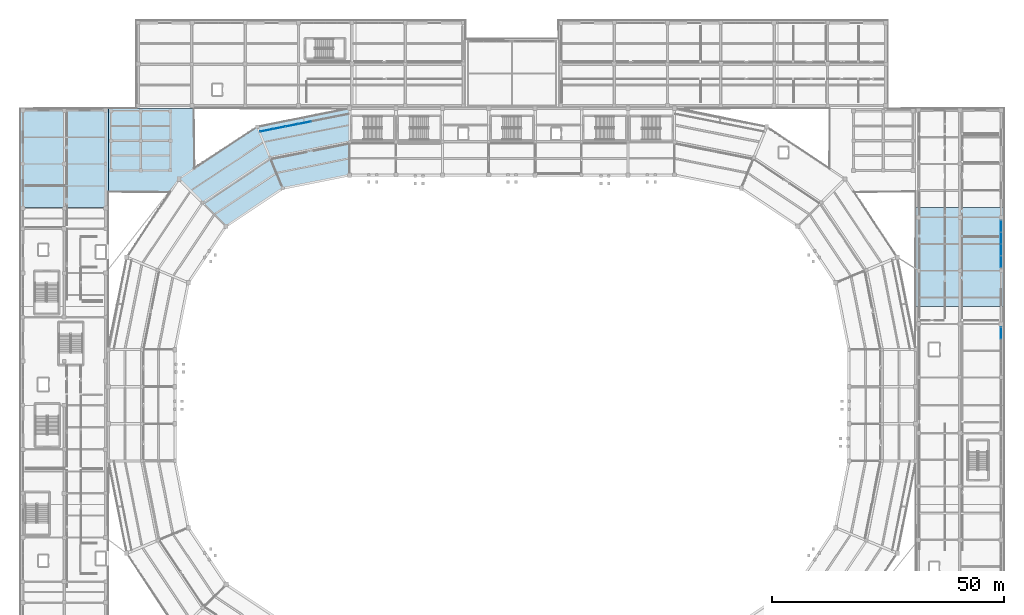
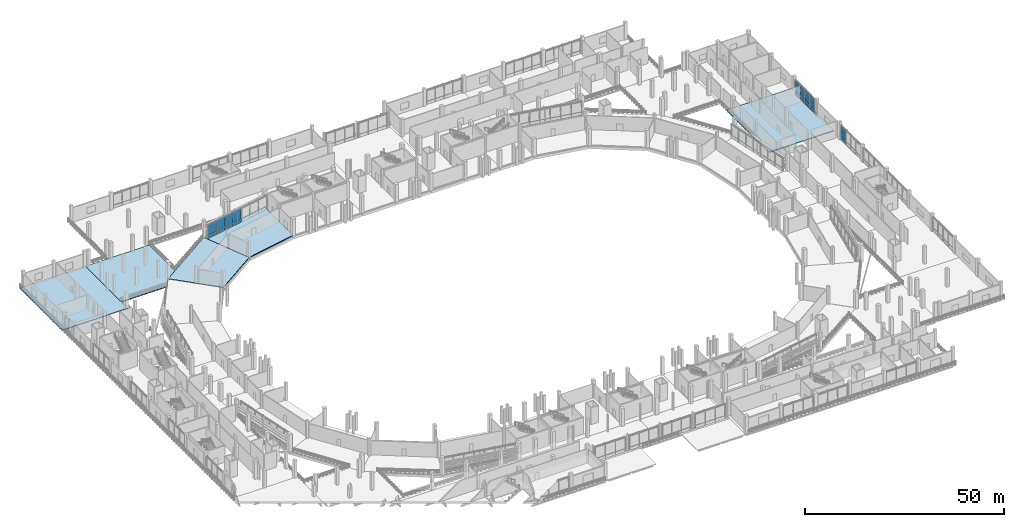
# One storey, part 67 of 114: 18 plates, 5 slabs, 3 elements without a shape of their own.
"""IFC4 building model written with IfcOpenShell, lengths in metres."""

from ifc_helpers import new_model, si_unit, direction, frame, origin, origin_2d, place, context, subcontext, project, spatial, polyline, rectangle, outline, extrude, material, layer, layer_set, type_object, element, aggregate, save


model = new_model("IFC4")

# Units and contexts
model_context = context("Model", 3, precision=1e-05, world=origin(), true_north=direction((0.0, 1.0)))
body_context = subcontext(model_context, "Body", "Model", "MODEL_VIEW")
ifc_project = project(units=[si_unit("LENGTHUNIT", "METRE"), si_unit("AREAUNIT", "SQUARE_METRE"), si_unit("VOLUMEUNIT", "CUBIC_METRE"), si_unit("PLANEANGLEUNIT", "RADIAN"), si_unit("MASSUNIT", "GRAM", prefix="KILO")], contexts=[model_context])

# Site, building, storey
site_placement = place(None, origin())
site = spatial("IfcSite", under=ifc_project, at=site_placement, CompositionType="ELEMENT")
building_placement = place(site_placement, origin())
building = spatial("IfcBuilding", under=site, at=building_placement, Name="Candeia Ridge Stadium", CompositionType="ELEMENT")
storey_placement = place(building_placement, frame((0.0, 0.0, 5.39990234375)))
storey = spatial("IfcBuildingStorey", under=building, at=storey_placement, Name="L01", CompositionType="ELEMENT", Elevation=5.39990234375)

# Slabs
ifc_material_1 = material(Name="Concrete C40/50", Category="concrete")
ifc_layer_1 = layer(ifc_material_1, 0.260009765625, Name="Concrete C40/50", Category="concrete")
ifc_layer_set_1 = layer_set([ifc_layer_1], Name="Concrete C40/50")
slab_type_1 = type_object("IfcSlabType", Name="Concourse Structural Slab 260", PredefinedType="FLOOR", material=ifc_layer_set_1)
slab_1_placement = place(storey_placement, frame((0.0, 0.0, -0.260009765625)))
element("IfcSlab", 1, at=slab_1_placement, inside=storey, type_object=slab_type_1, Name="Bowl concourse sector slab L01 bay 08 SLB-L01-0044", PredefinedType="FLOOR", context=body_context, shape_type="SweptSolid", body=[
    extrude(outline(polyline([(56.611083984375, 129.73779296875), (51.1005859375, 143.041748046875), (71.0, 147.0), (71.0, 132.60009765625), (56.611083984375, 129.73779296875)])), origin(), (0.0, 0.0, 1.0), 0.260009765625),
])
slab_2_placement = place(storey_placement, frame((0.0, 0.0, -0.260009765625)))
element("IfcSlab", 2, at=slab_2_placement, inside=storey, type_object=slab_type_1, Name="Bowl concourse sector slab L01 bay 09 SLB-L01-0045", PredefinedType="FLOOR", context=body_context, shape_type="SweptSolid", body=[
    extrude(outline(polyline([(44.446044921875, 121.609375), (34.263671875, 131.791748046875), (51.1005859375, 143.041748046875), (56.611083984375, 129.73779296875), (44.446044921875, 121.609375)])), origin(), (0.0, 0.0, 1.0), 0.260009765625),
])
slab_3_placement = place(storey_placement, frame((0.0, 0.0, -0.260009765625)))
element("IfcSlab", 3, at=slab_3_placement, inside=storey, type_object=slab_type_1, Name="Wing floor slab east SLB-L01-0222", PredefinedType="FLOOR", context=body_context, shape_type="SweptSolid", body=[
    extrude(outline(polyline([(193.0, 104.333251953125), (193.0, 125.666748046875), (212.0, 125.666748046875), (212.0, 104.333251953125), (193.0, 104.333251953125)])), origin(), (0.0, 0.0, 1.0), 0.260009765625),
])

# Curtain wall, plate
ifc_material_2 = material(Name="Aluminium Anodized Warm Bronze", Category="aluminium")
curtain_wall_type_1 = type_object("IfcCurtainWallType", Name="Cardinal Entrance Gate Tall Glazed Curtain Wall", PredefinedType="NOTDEFINED", material=ifc_material_2)
curtain_wall_1_placement = place(storey_placement, origin())
curtain_wall_1 = element("IfcCurtainWall", 4, at=curtain_wall_1_placement, inside=storey, type_object=curtain_wall_type_1, Name="Unitised curtain wall CW-WNG-L01-104", PredefinedType="NOTDEFINED")
ifc_material_3 = material(Name="Laminated Acoustic Glazing", Category="glass")
ifc_layer_2 = layer(ifc_material_3, 0.035888671875, Name="Laminated Acoustic Glazing", Category="glass")
ifc_layer_set_2 = layer_set([ifc_layer_2], Name="Laminated Acoustic Glazing")
plate_type_1 = type_object("IfcPlateType", Name="Gate Tall Laminated Glass Panel GP3", PredefinedType="CURTAIN_PANEL", material=ifc_layer_set_2)
plate_1_placement = place(storey_placement, frame((211.39990234375, 98.5673828125, 1.14013671875), z_axis=(0.0, 0.0, 1.0), x_axis=(0.0, 1.0, 0.0)))
plate_1 = element("IfcPlate", 5, at=plate_1_placement, type_object=plate_type_1, Name="Curtain wall vision glass panel CW-WNG-L01-104-GP3", PredefinedType="CURTAIN_PANEL", context=body_context, shape_type="SweptSolid", body=[
    extrude(rectangle(XDim=2.47509765625, YDim=0.035888671875, at=origin_2d()), origin(), (0.0, 0.0, 1.0), 3.294921875),
])

# Curtain wall, plates
curtain_wall_2_placement = place(storey_placement, origin())
curtain_wall_2 = element("IfcCurtainWall", 6, at=curtain_wall_2_placement, inside=storey, type_object=curtain_wall_type_1, Name="Unitised curtain wall CW-WNG-L01-105", PredefinedType="NOTDEFINED")
plate_2_placement = place(storey_placement, frame((211.39990234375, 113.9326171875, 1.14013671875), z_axis=(0.0, 0.0, 1.0), x_axis=(0.0, 1.0, 0.0)))
plate_2 = element("IfcPlate", 7, at=plate_2_placement, type_object=plate_type_1, Name="Curtain wall vision glass panel CW-WNG-L01-105-GP0", PredefinedType="CURTAIN_PANEL", context=body_context, shape_type="SweptSolid", body=[
    extrude(rectangle(XDim=2.47509765625, YDim=0.035888671875, at=origin_2d()), origin(), (0.0, 0.0, 1.0), 3.294921875),
])
plate_3_placement = place(storey_placement, frame((211.39990234375, 116.4775390625, 1.14013671875), z_axis=(0.0, 0.0, 1.0), x_axis=(0.0, 1.0, 0.0)))
plate_3 = element("IfcPlate", 8, at=plate_3_placement, type_object=plate_type_1, Name="Curtain wall vision glass panel CW-WNG-L01-105-GP1", PredefinedType="CURTAIN_PANEL", context=body_context, shape_type="SweptSolid", body=[
    extrude(rectangle(XDim=2.47509765625, YDim=0.035888671875, at=origin_2d()), origin(), (0.0, 0.0, 1.0), 3.294921875),
])
plate_4_placement = place(storey_placement, frame((211.39990234375, 119.0224609375, 1.14013671875), z_axis=(0.0, 0.0, 1.0), x_axis=(0.0, 1.0, 0.0)))
plate_4 = element("IfcPlate", 9, at=plate_4_placement, type_object=plate_type_1, Name="Curtain wall vision glass panel CW-WNG-L01-105-GP2", PredefinedType="CURTAIN_PANEL", context=body_context, shape_type="SweptSolid", body=[
    extrude(rectangle(XDim=2.47509765625, YDim=0.035888671875, at=origin_2d()), origin(), (0.0, 0.0, 1.0), 3.294921875),
])
plate_5_placement = place(storey_placement, frame((211.39990234375, 121.5673828125, 1.14013671875), z_axis=(0.0, 0.0, 1.0), x_axis=(0.0, 1.0, 0.0)))
plate_5 = element("IfcPlate", 10, at=plate_5_placement, type_object=plate_type_1, Name="Curtain wall vision glass panel CW-WNG-L01-105-GP3", PredefinedType="CURTAIN_PANEL", context=body_context, shape_type="SweptSolid", body=[
    extrude(rectangle(XDim=2.47509765625, YDim=0.035888671875, at=origin_2d()), origin(), (0.0, 0.0, 1.0), 3.294921875),
])

# Slabs
ifc_layer_3 = layer(ifc_material_1, 0.25, Name="Concrete C40/50", Category="concrete")
ifc_layer_set_3 = layer_set([ifc_layer_3], Name="Concrete C40/50")
slab_type_2 = type_object("IfcSlabType", Name="Hospitality & Museum Slab 250", PredefinedType="FLOOR", material=ifc_layer_set_3)
slab_4_placement = place(storey_placement, frame((0.0, 0.0, -0.25)))
element("IfcSlab", 11, at=slab_4_placement, inside=storey, type_object=slab_type_2, Name="Wing floor slab west SLB-L01-0217", PredefinedType="FLOOR", context=body_context, shape_type="SweptSolid", body=[
    extrude(outline(polyline([(0.0, 125.666748046875), (0.0, 147.0), (19.0, 147.0), (19.0, 125.666748046875), (0.0, 125.666748046875)])), origin(), (0.0, 0.0, 1.0), 0.25),
])
slab_5_placement = place(storey_placement, frame((0.0, 0.0, -0.25)))
element("IfcSlab", 12, at=slab_5_placement, inside=storey, type_object=slab_type_2, Name="Wing floor slab sp_nw SLB-L01-0239", PredefinedType="FLOOR", context=body_context, shape_type="SweptSolid", body=[
    extrude(outline(polyline([(19.0, 147.0), (37.5, 147.0), (37.5, 133.960205078125), (34.227783203125, 131.773681640625), (34.227294921875, 131.7734375), (34.226806640625, 131.773193359375), (34.2265625, 131.772705078125), (34.226318359375, 131.772216796875), (32.373779296875, 129.0), (19.0, 129.0), (19.0, 147.0)])), origin(), (0.0, 0.0, 1.0), 0.25),
])

# Curtain wall, plates
curtain_wall_type_2 = type_object("IfcCurtainWallType", Name="Concourse Recessed Unitised Curtain Wall", PredefinedType="NOTDEFINED", material=ifc_material_2)
curtain_wall_3_placement = place(storey_placement, origin())
curtain_wall_3 = element("IfcCurtainWall", 13, at=curtain_wall_3_placement, inside=storey, type_object=curtain_wall_type_2, Name="Unitised curtain wall CW-BWL-L01-07", PredefinedType="NOTDEFINED")
ifc_material_4 = material(Name="Aluminium Insulated Spandrel", Category="aluminium")
ifc_layer_4 = layer(ifc_material_4, 0.06494140625, Name="Aluminium Insulated Spandrel", Category="aluminium")
ifc_layer_set_4 = layer_set([ifc_layer_4], Name="Aluminium Insulated Spandrel")
plate_type_2 = type_object("IfcPlateType", Name="Insulated Bronze Spandrel Panel SP1", PredefinedType="CURTAIN_PANEL", material=ifc_layer_set_4)
plate_6_placement = place(storey_placement, frame((61.27978515625, 143.86669921875, 0.0400390625), z_axis=(0.0, 0.0, 1.0), x_axis=(-0.980785280696, -0.195090320544, 0.0)))
plate_6 = element("IfcPlate", 14, at=plate_6_placement, type_object=plate_type_2, Name="Curtain wall spandrel panel CW-BWL-L01-07-SP3", PredefinedType="CURTAIN_PANEL", context=body_context, shape_type="SweptSolid", body=[
    extrude(rectangle(XDim=2.710205078125, YDim=0.06494140625, at=origin_2d()), origin(), (0.0, 0.0, 1.0), 0.981201171875),
])
plate_7_placement = place(storey_placement, frame((58.552978515625, 143.32421875, 0.0400390625), z_axis=(0.0, 0.0, 1.0), x_axis=(-0.980785280696, -0.195090320544, 0.0)))
plate_7 = element("IfcPlate", 15, at=plate_7_placement, type_object=plate_type_2, Name="Curtain wall spandrel panel CW-BWL-L01-07-SP4", PredefinedType="CURTAIN_PANEL", context=body_context, shape_type="SweptSolid", body=[
    extrude(rectangle(XDim=2.710205078125, YDim=0.06494140625, at=origin_2d()), origin(), (0.0, 0.0, 1.0), 0.981201171875),
])
plate_8_placement = place(storey_placement, frame((55.826416015625, 142.78173828125, 0.0400390625), z_axis=(0.0, 0.0, 1.0), x_axis=(-0.980785280696, -0.195090320544, 0.0)))
plate_8 = element("IfcPlate", 16, at=plate_8_placement, type_object=plate_type_2, Name="Curtain wall spandrel panel CW-BWL-L01-07-SP5", PredefinedType="CURTAIN_PANEL", context=body_context, shape_type="SweptSolid", body=[
    extrude(rectangle(XDim=2.710205078125, YDim=0.06494140625, at=origin_2d()), origin(), (0.0, 0.0, 1.0), 0.981201171875),
])
plate_9_placement = place(storey_placement, frame((53.099609375, 142.239501953125, 0.0400390625), z_axis=(0.0, 0.0, 1.0), x_axis=(-0.980785280696, -0.195090320544, 0.0)))
plate_9 = element("IfcPlate", 17, at=plate_9_placement, type_object=plate_type_2, Name="Curtain wall spandrel panel CW-BWL-L01-07-SP6", PredefinedType="CURTAIN_PANEL", context=body_context, shape_type="SweptSolid", body=[
    extrude(rectangle(XDim=2.710205078125, YDim=0.06494140625, at=origin_2d()), origin(), (0.0, 0.0, 1.0), 0.981201171875),
])

# Plate
ifc_layer_5 = layer(ifc_material_4, 0.06494140625, Name="Aluminium Insulated Spandrel", Category="aluminium")
ifc_layer_set_5 = layer_set([ifc_layer_5], Name="Aluminium Insulated Spandrel")
plate_type_3 = type_object("IfcPlateType", Name="Insulated Cedar-Tone Spandrel Panel SP3", PredefinedType="CURTAIN_PANEL", material=ifc_layer_set_5)
plate_10_placement = place(storey_placement, frame((211.39990234375, 98.5673828125, 0.0400390625), z_axis=(0.0, 0.0, 1.0), x_axis=(0.0, 1.0, 0.0)))
plate_10 = element("IfcPlate", 18, at=plate_10_placement, type_object=plate_type_3, Name="Curtain wall spandrel panel CW-WNG-L01-104-SP3", PredefinedType="CURTAIN_PANEL", context=body_context, shape_type="SweptSolid", body=[
    extrude(rectangle(XDim=2.47509765625, YDim=0.06494140625, at=origin_2d()), origin(), (0.0, 0.0, 1.0), 1.02001953125),
])

aggregate(curtain_wall_1, [plate_10, plate_1])

plate_11_placement = place(storey_placement, frame((211.39990234375, 113.9326171875, 0.0400390625), z_axis=(0.0, 0.0, 1.0), x_axis=(0.0, 1.0, 0.0)))
plate_11 = element("IfcPlate", 19, at=plate_11_placement, type_object=plate_type_3, Name="Curtain wall spandrel panel CW-WNG-L01-105-SP0", PredefinedType="CURTAIN_PANEL", context=body_context, shape_type="SweptSolid", body=[
    extrude(rectangle(XDim=2.47509765625, YDim=0.06494140625, at=origin_2d()), origin(), (0.0, 0.0, 1.0), 1.02001953125),
])

plate_12_placement = place(storey_placement, frame((211.39990234375, 116.4775390625, 0.0400390625), z_axis=(0.0, 0.0, 1.0), x_axis=(0.0, 1.0, 0.0)))
plate_12 = element("IfcPlate", 20, at=plate_12_placement, type_object=plate_type_3, Name="Curtain wall spandrel panel CW-WNG-L01-105-SP1", PredefinedType="CURTAIN_PANEL", context=body_context, shape_type="SweptSolid", body=[
    extrude(rectangle(XDim=2.47509765625, YDim=0.06494140625, at=origin_2d()), origin(), (0.0, 0.0, 1.0), 1.02001953125),
])

plate_13_placement = place(storey_placement, frame((211.39990234375, 119.0224609375, 0.0400390625), z_axis=(0.0, 0.0, 1.0), x_axis=(0.0, 1.0, 0.0)))
plate_13 = element("IfcPlate", 21, at=plate_13_placement, type_object=plate_type_3, Name="Curtain wall spandrel panel CW-WNG-L01-105-SP2", PredefinedType="CURTAIN_PANEL", context=body_context, shape_type="SweptSolid", body=[
    extrude(rectangle(XDim=2.47509765625, YDim=0.06494140625, at=origin_2d()), origin(), (0.0, 0.0, 1.0), 1.02001953125),
])

plate_14_placement = place(storey_placement, frame((211.39990234375, 121.5673828125, 0.0400390625), z_axis=(0.0, 0.0, 1.0), x_axis=(0.0, 1.0, 0.0)))
plate_14 = element("IfcPlate", 22, at=plate_14_placement, type_object=plate_type_3, Name="Curtain wall spandrel panel CW-WNG-L01-105-SP3", PredefinedType="CURTAIN_PANEL", context=body_context, shape_type="SweptSolid", body=[
    extrude(rectangle(XDim=2.47509765625, YDim=0.06494140625, at=origin_2d()), origin(), (0.0, 0.0, 1.0), 1.02001953125),
])

aggregate(curtain_wall_2, [plate_11, plate_2, plate_12, plate_3, plate_13, plate_4, plate_14, plate_5])

ifc_material_5 = material(Name="Tempered Low-E Double Glazing", Category="glass")
ifc_layer_6 = layer(ifc_material_5, 0.035888671875, Name="Tempered Low-E Double Glazing", Category="glass")
ifc_layer_set_6 = layer_set([ifc_layer_6], Name="Tempered Low-E Double Glazing")
plate_type_4 = type_object("IfcPlateType", Name="Solar Control Vision Glass Panel GP5", PredefinedType="CURTAIN_PANEL", material=ifc_layer_set_6)
plate_15_placement = place(storey_placement, frame((61.27978515625, 143.86669921875, 1.10107421875), z_axis=(0.0, 0.0, 1.0), x_axis=(-0.980785280696, -0.195090320544, 0.0)))
plate_15 = element("IfcPlate", 23, at=plate_15_placement, type_object=plate_type_4, Name="Curtain wall vision glass panel CW-BWL-L01-07-GP3", PredefinedType="CURTAIN_PANEL", context=body_context, shape_type="SweptSolid", body=[
    extrude(rectangle(XDim=2.710205078125, YDim=0.035888671875, at=origin_2d()), origin(), (0.0, 0.0, 1.0), 3.103759765625),
])

plate_16_placement = place(storey_placement, frame((58.552978515625, 143.32421875, 1.10107421875), z_axis=(0.0, 0.0, 1.0), x_axis=(-0.980785280696, -0.195090320544, 0.0)))
plate_16 = element("IfcPlate", 24, at=plate_16_placement, type_object=plate_type_4, Name="Curtain wall vision glass panel CW-BWL-L01-07-GP4", PredefinedType="CURTAIN_PANEL", context=body_context, shape_type="SweptSolid", body=[
    extrude(rectangle(XDim=2.710205078125, YDim=0.035888671875, at=origin_2d()), origin(), (0.0, 0.0, 1.0), 3.103759765625),
])

plate_17_placement = place(storey_placement, frame((55.826416015625, 142.78173828125, 1.10107421875), z_axis=(0.0, 0.0, 1.0), x_axis=(-0.980785280696, -0.195090320544, 0.0)))
plate_17 = element("IfcPlate", 25, at=plate_17_placement, type_object=plate_type_4, Name="Curtain wall vision glass panel CW-BWL-L01-07-GP5", PredefinedType="CURTAIN_PANEL", context=body_context, shape_type="SweptSolid", body=[
    extrude(rectangle(XDim=2.710205078125, YDim=0.035888671875, at=origin_2d()), origin(), (0.0, 0.0, 1.0), 3.103759765625),
])

plate_18_placement = place(storey_placement, frame((53.099609375, 142.239501953125, 1.10107421875), z_axis=(0.0, 0.0, 1.0), x_axis=(-0.980785280696, -0.195090320544, 0.0)))
plate_18 = element("IfcPlate", 26, at=plate_18_placement, type_object=plate_type_4, Name="Curtain wall vision glass panel CW-BWL-L01-07-GP6", PredefinedType="CURTAIN_PANEL", context=body_context, shape_type="SweptSolid", body=[
    extrude(rectangle(XDim=2.710205078125, YDim=0.035888671875, at=origin_2d()), origin(), (0.0, 0.0, 1.0), 3.103759765625),
])

aggregate(curtain_wall_3, [plate_6, plate_15, plate_7, plate_16, plate_8, plate_17, plate_9, plate_18])

save(model, "model.ifc")
